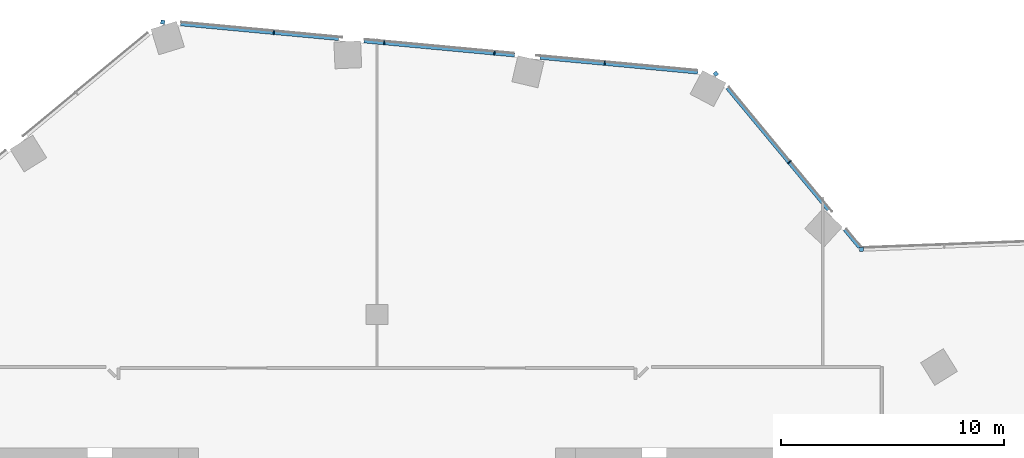
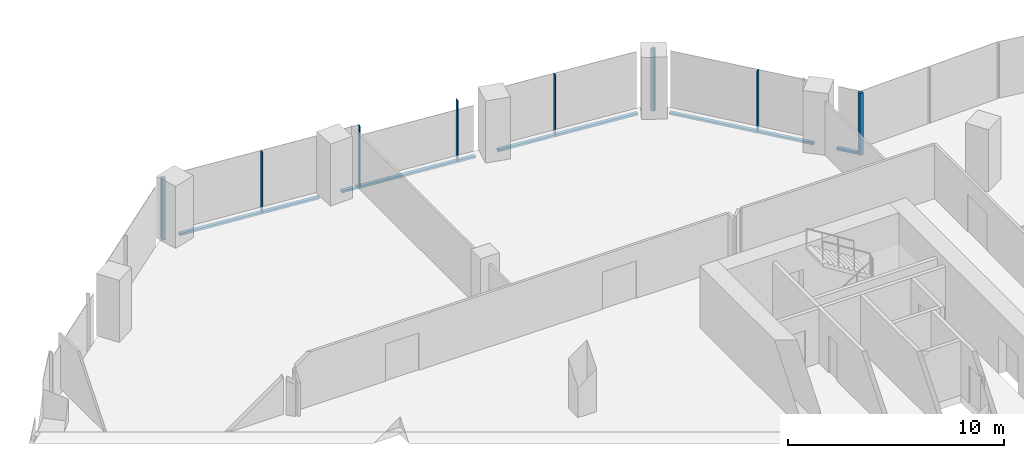
# One storey, part 11 of 23: 13 members, 3 elements without a shape of their own.
"""IFC4 building model written with IfcOpenShell, lengths in metres."""

from ifc_helpers import new_model, si_unit, direction, frame, origin, origin_2d, place, context, subcontext, project, spatial, rectangle, extrude, material, material_profile, profile_set, type_object, element, aggregate, save


model = new_model("IFC4")

# Units and contexts
model_context = context("Model", 3, precision=1e-05, world=origin(), true_north=direction((0.0, 1.0)))
body_context = subcontext(model_context, "Body", "Model", "MODEL_VIEW")
ifc_project = project(units=[si_unit("LENGTHUNIT", "METRE"), si_unit("AREAUNIT", "SQUARE_METRE"), si_unit("VOLUMEUNIT", "CUBIC_METRE"), si_unit("PLANEANGLEUNIT", "RADIAN"), si_unit("MASSUNIT", "GRAM", prefix="KILO")], contexts=[model_context])

# Site, building, storey
site_placement = place(None, origin())
site = spatial("IfcSite", under=ifc_project, at=site_placement, CompositionType="ELEMENT")
building_placement = place(site_placement, origin())
building = spatial("IfcBuilding", under=site, at=building_placement, Name="Orlundy Tower", CompositionType="ELEMENT")
storey_placement = place(building_placement, frame((0.0, 0.0, 181.10009765625)))
storey = spatial("IfcBuildingStorey", under=building, at=storey_placement, Name="L47", CompositionType="ELEMENT", Elevation=181.10009765625)

# Curtain wall, member
ifc_material_1 = material(Name="Aluminium bronze anodised", Category="aluminium")
curtain_wall_type = type_object("IfcCurtainWallType", Name="CW1 wall", PredefinedType="NOTDEFINED", material=ifc_material_1)
curtain_wall_1_placement = place(storey_placement, origin())
curtain_wall_1 = element("IfcCurtainWall", 1, at=curtain_wall_1_placement, inside=storey, type_object=curtain_wall_type, Name="CW1 run 04", PredefinedType="NOTDEFINED")
ifc_material_2 = material(Name="Aluminium bronze anodised", Category="aluminium")
ifc_material_profile_1 = material_profile(ifc_material_2, rectangle(XDim=0.179931640625, YDim=0.179931640625, at=origin_2d()), Name="CW1 corner post 180x180")
ifc_profile_set_1 = profile_set([ifc_material_profile_1], Name="Aluminium bronze anodised")
member_type_1 = type_object("IfcMemberType", Name="CW1 corner post 180x180", PredefinedType="MULLION", material=ifc_profile_set_1)
member_1_placement = place(storey_placement, frame((-9.61279296875, 31.1181640625, -0.420166015625), z_axis=(0.0, 0.0, 1.0), x_axis=(0.092948066811, 0.995670958136, 0.0)))
member_1 = element("IfcMember", 2, at=member_1_placement, type_object=member_type_1, Name="CW1 mullion 19", PredefinedType="MULLION", context=body_context, shape_type="SweptSolid", body=[
    extrude(rectangle(XDim=0.179931640625, YDim=0.179931640625, at=origin_2d()), origin(), (0.0, 0.0, 1.0), 3.5),
])

curtain_wall_2_placement = place(storey_placement, origin())
curtain_wall_2 = element("IfcCurtainWall", 3, at=curtain_wall_2_placement, inside=storey, type_object=curtain_wall_type, Name="CW1 run 05", PredefinedType="NOTDEFINED")
member_2_placement = place(storey_placement, frame((15.20654296875, 28.801025390625, -0.420166015625), z_axis=(0.0, 0.0, 1.0), x_axis=(0.769788399055, 0.638299162368, 0.0)))
member_2 = element("IfcMember", 4, at=member_2_placement, type_object=member_type_1, Name="CW1 mullion 24", PredefinedType="MULLION", context=body_context, shape_type="SweptSolid", body=[
    extrude(rectangle(XDim=0.179931640625, YDim=0.179931640625, at=origin_2d()), origin(), (0.0, 0.0, 1.0), 3.5),
])

curtain_wall_3_placement = place(storey_placement, origin())
curtain_wall_3 = element("IfcCurtainWall", 5, at=curtain_wall_3_placement, inside=storey, type_object=curtain_wall_type, Name="CW1 run 06", PredefinedType="NOTDEFINED")
member_3_placement = place(storey_placement, frame((21.73583984375, 20.926513671875, -0.420166015625), z_axis=(0.0, 0.0, 1.0), x_axis=(-0.037836578056, 0.99928394031, 0.0)))
member_3 = element("IfcMember", 6, at=member_3_placement, type_object=member_type_1, Name="CW1 mullion 26", PredefinedType="MULLION", context=body_context, shape_type="SweptSolid", body=[
    extrude(rectangle(XDim=0.179931640625, YDim=0.179931640625, at=origin_2d()), origin(), (0.0, 0.0, 1.0), 3.5),
])
aggregate(curtain_wall_3, [member_3])

# Member
ifc_material_3 = material(Name="Aluminium bronze anodised", Category="aluminium")
ifc_material_profile_2 = material_profile(ifc_material_3, rectangle(XDim=0.179931640625, YDim=0.050048828125, at=origin_2d()), Name="CW1 mullion 50x180")
ifc_profile_set_2 = profile_set([ifc_material_profile_2], Name="Aluminium bronze anodised")
member_type_2 = type_object("IfcMemberType", Name="CW1 mullion 50x180", PredefinedType="MULLION", material=ifc_profile_set_2)
member_4_placement = place(storey_placement, frame((-4.626708984375, 30.652587890625, -0.420166015625), z_axis=(0.0, 0.0, 1.0), x_axis=(0.092948066811, 0.995670958136, 0.0)))
member_4 = element("IfcMember", 7, at=member_4_placement, type_object=member_type_2, Name="CW1 mullion 20", PredefinedType="MULLION", context=body_context, shape_type="SweptSolid", body=[
    extrude(rectangle(XDim=0.179931640625, YDim=0.050048828125, at=origin_2d()), origin(), (0.0, 0.0, 1.0), 3.5),
])

member_5_placement = place(storey_placement, frame((0.322265625, 30.190673828125, -0.420166015625), z_axis=(0.0, 0.0, 1.0), x_axis=(0.092948066811, 0.995670958136, 0.0)))
member_5 = element("IfcMember", 8, at=member_5_placement, type_object=member_type_2, Name="CW1 mullion 21", PredefinedType="MULLION", context=body_context, shape_type="SweptSolid", body=[
    extrude(rectangle(XDim=0.179931640625, YDim=0.050048828125, at=origin_2d()), origin(), (0.0, 0.0, 1.0), 3.5),
])

member_6_placement = place(storey_placement, frame((5.271484375, 29.728515625, -0.420166015625), z_axis=(0.0, 0.0, 1.0), x_axis=(0.092948066811, 0.995670958136, 0.0)))
member_6 = element("IfcMember", 9, at=member_6_placement, type_object=member_type_2, Name="CW1 mullion 22", PredefinedType="MULLION", context=body_context, shape_type="SweptSolid", body=[
    extrude(rectangle(XDim=0.179931640625, YDim=0.050048828125, at=origin_2d()), origin(), (0.0, 0.0, 1.0), 3.5),
])

member_7_placement = place(storey_placement, frame((10.220458984375, 29.2666015625, -0.420166015625), z_axis=(0.0, 0.0, 1.0), x_axis=(0.092948066811, 0.995670958136, 0.0)))
member_7 = element("IfcMember", 10, at=member_7_placement, type_object=member_type_2, Name="CW1 mullion 23", PredefinedType="MULLION", context=body_context, shape_type="SweptSolid", body=[
    extrude(rectangle(XDim=0.179931640625, YDim=0.050048828125, at=origin_2d()), origin(), (0.0, 0.0, 1.0), 3.5),
])

member_8_placement = place(storey_placement, frame((18.497314453125, 24.83251953125, -0.420166015625), z_axis=(0.0, 0.0, 1.0), x_axis=(0.769788399055, 0.638299162368, 0.0)))
member_8 = element("IfcMember", 11, at=member_8_placement, type_object=member_type_2, Name="CW1 mullion 25", PredefinedType="MULLION", context=body_context, shape_type="SweptSolid", body=[
    extrude(rectangle(XDim=0.179931640625, YDim=0.050048828125, at=origin_2d()), origin(), (0.0, 0.0, 1.0), 3.5),
])

ifc_material_4 = material(Name="Aluminium bronze anodised", Category="aluminium")
ifc_material_profile_3 = material_profile(ifc_material_4, rectangle(XDim=0.179931640625, YDim=0.1201171875, at=origin_2d()), Name="CW1 transom 180x120")
ifc_profile_set_3 = profile_set([ifc_material_profile_3], Name="Aluminium bronze anodised")
member_type_3 = type_object("IfcMemberType", Name="CW1 transom 180x120", PredefinedType="USERDEFINED", material=ifc_profile_set_3)
member_9_placement = place(storey_placement, frame((-8.803955078125, 31.04248046875, -0.360107421875), z_axis=(0.99567116953, -0.092945802311, 0.0), x_axis=(0.092945802311, 0.99567116953, 0.0)))
member_9 = element("IfcMember", 12, at=member_9_placement, type_object=member_type_3, Name="CW1 transom", ObjectType="TRANSOM", PredefinedType="USERDEFINED", context=body_context, shape_type="SweptSolid", body=[
    extrude(rectangle(XDim=0.179931640625, YDim=0.1201171875, at=origin_2d()), origin(), (0.0, 0.0, 1.0), 7.105224609375),
])

member_10_placement = place(storey_placement, frame((-0.5859375, 30.275390625, -0.360107421875), z_axis=(0.995670257295, -0.092955574003, 0.0), x_axis=(0.092955574003, 0.995670257295, 0.0)))
member_10 = element("IfcMember", 13, at=member_10_placement, type_object=member_type_3, Name="CW1 transom", ObjectType="TRANSOM", PredefinedType="USERDEFINED", context=body_context, shape_type="SweptSolid", body=[
    extrude(rectangle(XDim=0.179931640625, YDim=0.1201171875, at=origin_2d()), origin(), (0.0, 0.0, 1.0), 6.79443359375),
])

member_11_placement = place(storey_placement, frame((7.31982421875, 29.537353515625, -0.360107421875), z_axis=(0.995672738099, -0.092928997665, 0.0), x_axis=(0.092928997665, 0.995672738099, 0.0)))
member_11 = element("IfcMember", 14, at=member_11_placement, type_object=member_type_3, Name="CW1 transom", ObjectType="TRANSOM", PredefinedType="USERDEFINED", context=body_context, shape_type="SweptSolid", body=[
    extrude(rectangle(XDim=0.179931640625, YDim=0.1201171875, at=origin_2d()), origin(), (0.0, 0.0, 1.0), 7.109130859375),
])

aggregate(curtain_wall_1, [member_1, member_4, member_5, member_6, member_7, member_9, member_10, member_11])

member_12_placement = place(storey_placement, frame((15.724609375, 28.17626953125, -0.360107421875), z_axis=(0.638307072863, -0.769781839701, 0.0), x_axis=(0.769781839701, 0.638307072863, 0.0)))
member_12 = element("IfcMember", 15, at=member_12_placement, type_object=member_type_3, Name="CW1 transom", ObjectType="TRANSOM", PredefinedType="USERDEFINED", context=body_context, shape_type="SweptSolid", body=[
    extrude(rectangle(XDim=0.179931640625, YDim=0.1201171875, at=origin_2d()), origin(), (0.0, 0.0, 1.0), 7.1064453125),
])

member_13_placement = place(storey_placement, frame((20.99365234375, 21.822021484375, -0.360107421875), z_axis=(0.638214854894, -0.769858297995, 0.0), x_axis=(0.769858297995, 0.638214854894, 0.0)))
member_13 = element("IfcMember", 16, at=member_13_placement, type_object=member_type_3, Name="CW1 transom", ObjectType="TRANSOM", PredefinedType="USERDEFINED", context=body_context, shape_type="SweptSolid", body=[
    extrude(rectangle(XDim=0.179931640625, YDim=0.1201171875, at=origin_2d()), origin(), (0.0, 0.0, 1.0), 1.049560546875),
])

aggregate(curtain_wall_2, [member_2, member_8, member_12, member_13])

save(model, "model.ifc")
